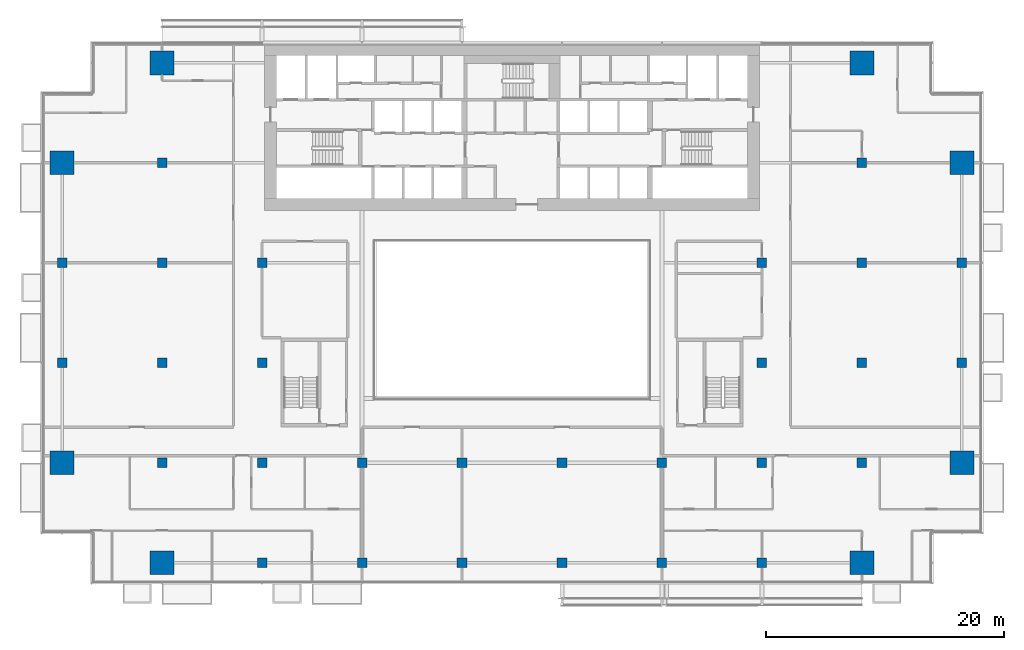
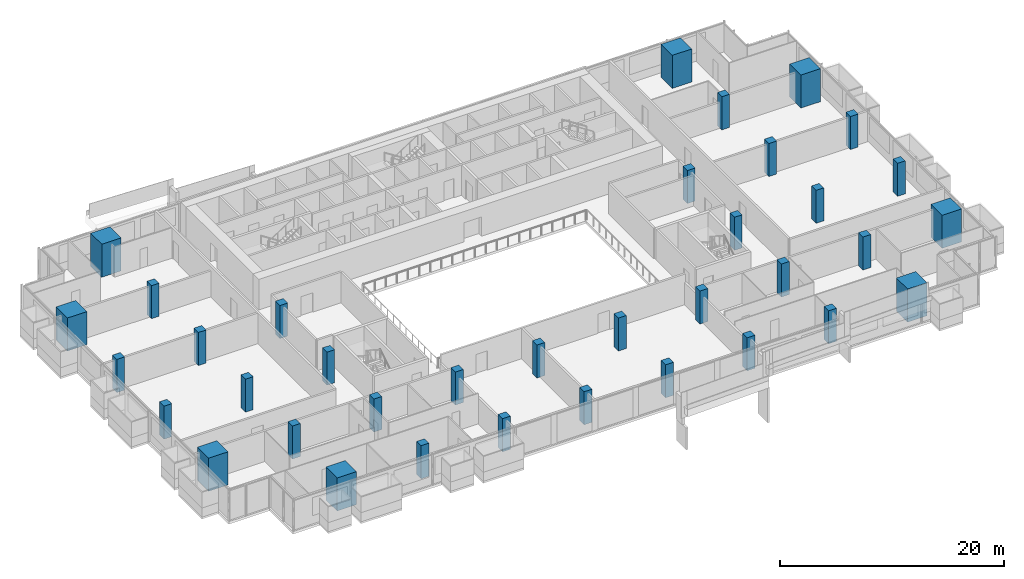
# One storey, part 1 of 26: 36 columns.
"""IFC4 building model written with IfcOpenShell, lengths in metres."""

from ifc_helpers import new_model, si_unit, direction, frame, origin, origin_2d, place, context, subcontext, project, spatial, rectangle, extrude, material, material_profile, profile_set, type_object, element, save


model = new_model("IFC4")

# Units and contexts
model_context = context("Model", 3, precision=1e-05, world=origin(), true_north=direction((0.0, 1.0)))
body_context = subcontext(model_context, "Body", "Model", "MODEL_VIEW")
ifc_project = project(units=[si_unit("LENGTHUNIT", "METRE"), si_unit("AREAUNIT", "SQUARE_METRE"), si_unit("VOLUMEUNIT", "CUBIC_METRE"), si_unit("PLANEANGLEUNIT", "RADIAN"), si_unit("MASSUNIT", "GRAM", prefix="KILO")], contexts=[model_context])

# Site, building, storey
site_placement = place(None, origin())
site = spatial("IfcSite", under=ifc_project, at=site_placement, CompositionType="ELEMENT")
building_placement = place(site_placement, origin())
building = spatial("IfcBuilding", under=site, at=building_placement, Name="Saffron Gate Tower", CompositionType="ELEMENT")
storey_placement = place(building_placement, frame((0.0, 0.0, 102.449951171875)))
storey = spatial("IfcBuildingStorey", under=building, at=storey_placement, Name="L23", CompositionType="ELEMENT", Elevation=102.449951171875)

# Columns
ifc_material_1 = material(Name="Concrete C60", Category="concrete")
ifc_material_profile_1 = material_profile(ifc_material_1, rectangle(XDim=0.800048828125, YDim=0.800048828125, at=origin_2d()))
ifc_profile_set_1 = profile_set([ifc_material_profile_1], Name="Concrete C60")
column_type_1 = type_object("IfcColumnType", Name="C5 RC 800x800 CONCRETE C60", PredefinedType="COLUMN", material=ifc_profile_set_1)
for number, where, z_axis, x_axis, name in (
    (1, (49.800048828125, 48.60009765625, 0.0), (0.0, 0.0, 1.0), (1.0, 0.0, 0.0), "C5 COLUMN X1-C"),
    (2, (49.800048828125, 57.0, 0.0), (0.0, 0.0, 1.0), (1.0, 0.0, 0.0), "C5 COLUMN X1-D"),
    (3, (58.199951171875, 40.199951171875, 0.0), (0.0, 0.0, 1.0), (1.0, 0.0, 0.0), "C5 COLUMN X2-B"),
    (4, (58.199951171875, 48.60009765625, 0.0), (0.0, 0.0, 1.0), (1.0, 0.0, 0.0), "C5 COLUMN X2-C"),
    (5, (58.199951171875, 57.0, 0.0), (0.0, 0.0, 1.0), (1.0, 0.0, 0.0), "C5 COLUMN X2-D"),
    (6, (58.199951171875, 65.39990234375, 0.0), (0.0, 0.0, 1.0), (1.0, 0.0, 0.0), "C5 COLUMN X2-E"),
    (7, (66.60009765625, 31.800048828125, 0.0), (0.0, 0.0, 1.0), (1.0, 0.0, 0.0), "C5 COLUMN X3-A"),
    (8, (66.60009765625, 40.199951171875, 0.0), (0.0, 0.0, 1.0), (1.0, 0.0, 0.0), "C5 COLUMN X3-B"),
    (9, (66.60009765625, 48.60009765625, 0.0), (0.0, 0.0, 1.0), (1.0, 0.0, 0.0), "C5 COLUMN X3-C"),
    (10, (66.60009765625, 57.0, 0.0), (0.0, 0.0, 1.0), (1.0, 0.0, 0.0), "C5 COLUMN X3-D"),
    (11, (75.0, 31.800048828125, 0.0), (0.0, 0.0, 1.0), (1.0, 0.0, 0.0), "C5 COLUMN X4-A"),
    (12, (75.0, 40.199951171875, 0.0), (0.0, 0.0, 1.0), (1.0, 0.0, 0.0), "C5 COLUMN X4-B"),
    (13, (83.39990234375, 31.800048828125, 0.0), (0.0, 0.0, 1.0), (1.0, 0.0, 0.0), "C5 COLUMN X5-A"),
    (14, (83.39990234375, 40.199951171875, 0.0), (0.0, 0.0, 1.0), (1.0, 0.0, 0.0), "C5 COLUMN X5-B"),
    (15, (91.800048828125, 31.800048828125, 0.0), (0.0, 0.0, 1.0), (1.0, 0.0, 0.0), "C5 COLUMN X6-A"),
    (16, (91.800048828125, 40.199951171875, 0.0), (0.0, 0.0, 1.0), (1.0, 0.0, 0.0), "C5 COLUMN X6-B"),
    (17, (100.199951171875, 31.800048828125, 0.0), (0.0, 0.0, 1.0), (1.0, 0.0, 0.0), "C5 COLUMN X7-A"),
    (18, (100.199951171875, 40.199951171875, 0.0), (0.0, 0.0, 1.0), (1.0, 0.0, 0.0), "C5 COLUMN X7-B"),
    (19, (108.60009765625, 31.800048828125, 0.0), (0.0, 0.0, 1.0), (1.0, 0.0, 0.0), "C5 COLUMN X8-A"),
    (20, (108.60009765625, 40.199951171875, 0.0), (0.0, 0.0, 1.0), (1.0, 0.0, 0.0), "C5 COLUMN X8-B"),
    (21, (108.60009765625, 48.60009765625, 0.0), (0.0, 0.0, 1.0), (1.0, 0.0, 0.0), "C5 COLUMN X8-C"),
    (22, (108.60009765625, 57.0, 0.0), (0.0, 0.0, 1.0), (1.0, 0.0, 0.0), "C5 COLUMN X8-D"),
    (23, (117.0, 40.199951171875, 0.0), (0.0, 0.0, 1.0), (1.0, 0.0, 0.0), "C5 COLUMN X9-B"),
    (24, (117.0, 48.60009765625, 0.0), (0.0, 0.0, 1.0), (1.0, 0.0, 0.0), "C5 COLUMN X9-C"),
    (25, (117.0, 57.0, 0.0), (0.0, 0.0, 1.0), (1.0, 0.0, 0.0), "C5 COLUMN X9-D"),
    (26, (117.0, 65.39990234375, 0.0), (0.0, 0.0, 1.0), (1.0, 0.0, 0.0), "C5 COLUMN X9-E"),
    (27, (125.39990234375, 48.60009765625, 0.0), (0.0, 0.0, 1.0), (1.0, 0.0, 0.0), "C5 COLUMN X10-C"),
    (28, (125.39990234375, 57.0, 0.0), (0.0, 0.0, 1.0), (1.0, 0.0, 0.0), "C5 COLUMN X10-D"),
):
    element("IfcColumn", number, at=place(storey_placement, frame(where, z_axis=z_axis, x_axis=x_axis)), inside=storey, type_object=column_type_1, Name=name, PredefinedType="COLUMN", context=body_context, shape_type="SweptSolid", body=[
        extrude(rectangle(XDim=0.800048828125, YDim=0.800048828125, at=origin_2d()), origin(), (0.0, 0.0, 1.0), 3.60009765625),
    ])
ifc_material_2 = material(Name="Concrete C80", Category="concrete")
ifc_material_profile_2 = material_profile(ifc_material_2, rectangle(XDim=2.0, YDim=2.0, at=origin_2d()))
ifc_profile_set_2 = profile_set([ifc_material_profile_2], Name="Concrete C80")
column_type_2 = type_object("IfcColumnType", Name="MC3 RC 2000x2000 CONCRETE C80", PredefinedType="COLUMN", material=ifc_profile_set_2)
for number, where, z_axis, x_axis, name in (
    (29, (49.800048828125, 40.199951171875, 0.0), (0.0, 0.0, 1.0), (1.0, 0.0, 0.0), "MC3 MEGA COLUMN X1-B"),
    (30, (49.800048828125, 65.39990234375, 0.0), (0.0, 0.0, 1.0), (1.0, 0.0, 0.0), "MC3 MEGA COLUMN X1-E"),
    (31, (58.199951171875, 31.800048828125, 0.0), (0.0, 0.0, 1.0), (1.0, 0.0, 0.0), "MC3 MEGA COLUMN X2-A"),
    (32, (58.199951171875, 73.800048828125, 0.0), (0.0, 0.0, 1.0), (1.0, 0.0, 0.0), "MC3 MEGA COLUMN X2-F"),
    (33, (117.0, 31.800048828125, 0.0), (0.0, 0.0, 1.0), (1.0, 0.0, 0.0), "MC3 MEGA COLUMN X9-A"),
    (34, (117.0, 73.800048828125, 0.0), (0.0, 0.0, 1.0), (1.0, 0.0, 0.0), "MC3 MEGA COLUMN X9-F"),
    (35, (125.39990234375, 40.199951171875, 0.0), (0.0, 0.0, 1.0), (1.0, 0.0, 0.0), "MC3 MEGA COLUMN X10-B"),
    (36, (125.39990234375, 65.39990234375, 0.0), (0.0, 0.0, 1.0), (1.0, 0.0, 0.0), "MC3 MEGA COLUMN X10-E"),
):
    element("IfcColumn", number, at=place(storey_placement, frame(where, z_axis=z_axis, x_axis=x_axis)), inside=storey, type_object=column_type_2, Name=name, PredefinedType="COLUMN", context=body_context, shape_type="SweptSolid", body=[
        extrude(rectangle(XDim=2.0, YDim=2.0, at=origin_2d()), origin(), (0.0, 0.0, 1.0), 3.60009765625),
    ])

save(model, "model.ifc")
